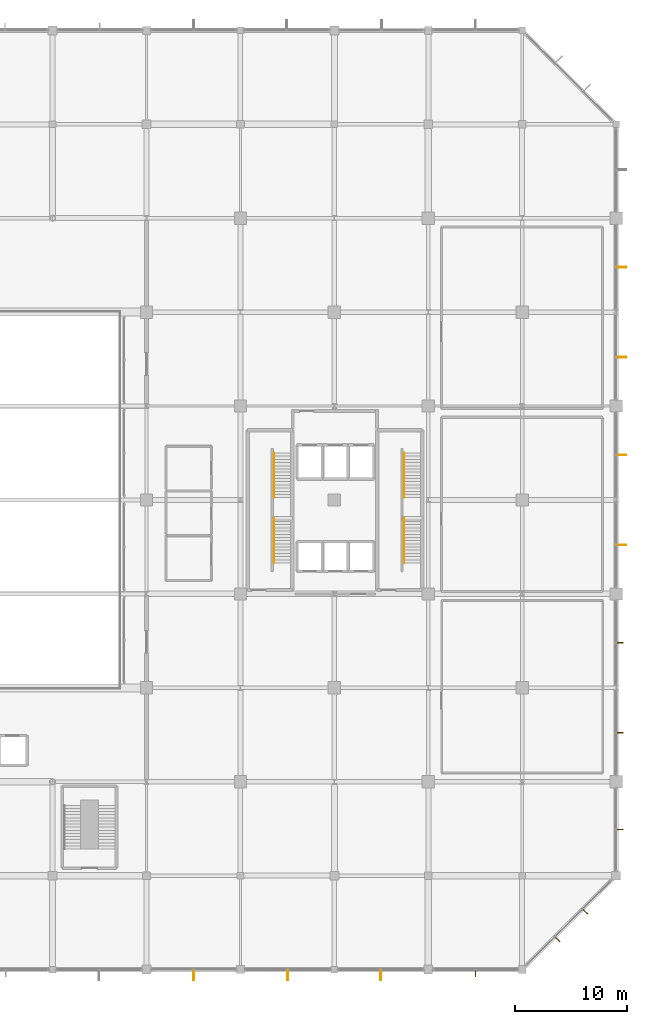
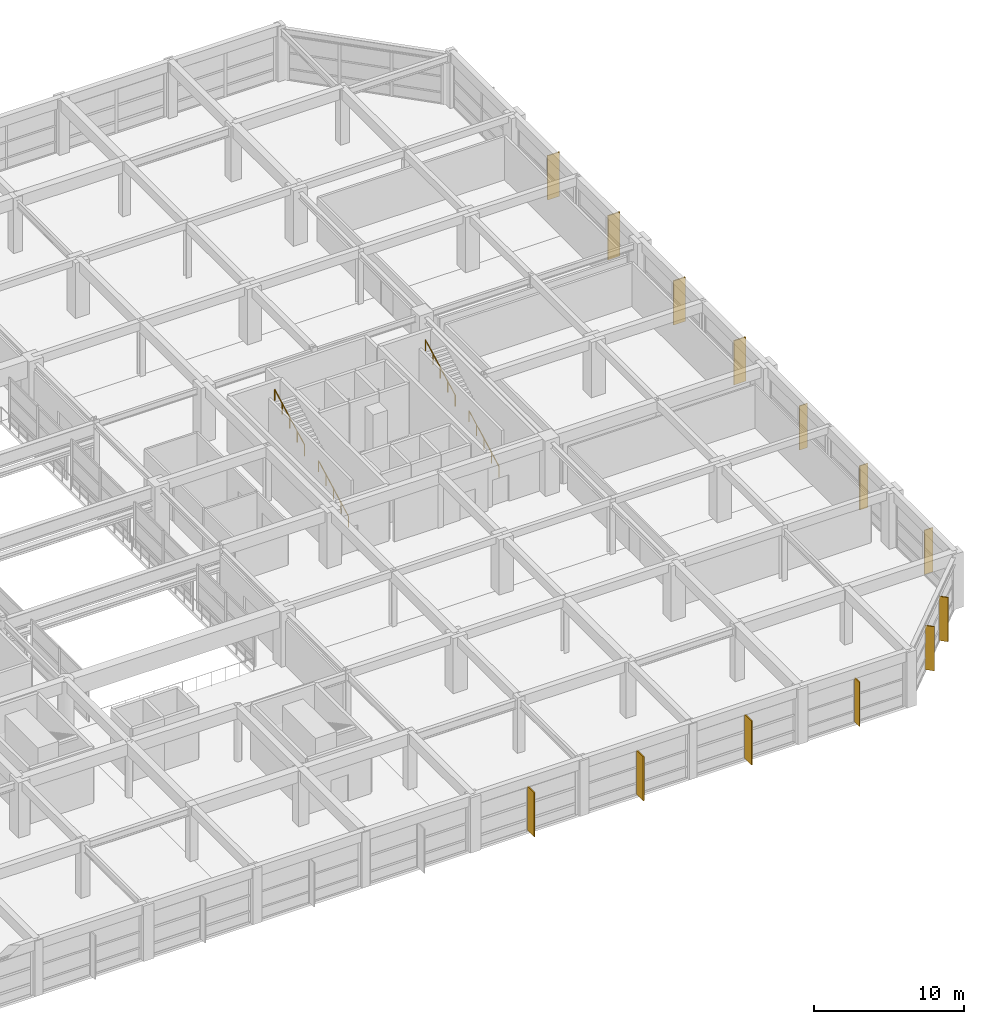
# One storey, part 61 of 62: 13 shading devices, 4 railings.
"""IFC4 building model written with IfcOpenShell, lengths in metres."""

import ifcopenshell
import ifcopenshell.guid

model = None  # the IFC model being written
_history = None  # IfcOwnerHistory: only IFC2X3 demands one
_inside = {}  # id of a spatial element -> (the spatial element, [elements in it])
_under = {}  # id of a project, library or spatial element -> (it, [spatial elements below it])
_declared = {}  # id of a project -> (the project, [libraries it declares])
_typed = {}  # id of a type object -> (the type object, [elements of that type])
_made_of = {}  # id of a material, layer set ... -> (it, [elements and type objects made of it])


def new_model(schema):
    """Start an empty IFC model of exactly this schema.

    Asked for "IFC4X3", IfcOpenShell would pick the latest addendum, in which some entities
    have other attributes; the version numbers below select the first issue.
    IFC2X3 requires an IfcOwnerHistory on every rooted entity: one is made here for all.
    """
    global model, _history
    if schema == "IFC4X3":
        model = ifcopenshell.file(schema_version=(4, 3, 0, 0))
    else:
        model = ifcopenshell.file(schema=schema)
    _inside.clear()
    _under.clear()
    _declared.clear()
    _typed.clear()
    _made_of.clear()
    _history = None
    if model.schema == "IFC2X3":
        org = make("IfcOrganization", Name="unknown")
        user = make(
            "IfcPersonAndOrganization",
            ThePerson=make("IfcPerson", FamilyName="unknown"),
            TheOrganization=org,
        )
        app = make(
            "IfcApplication",
            ApplicationDeveloper=org,
            Version="unknown",
            ApplicationFullName="unknown",
            ApplicationIdentifier="unknown",
        )
        _history = make(
            "IfcOwnerHistory",
            OwningUser=user,
            OwningApplication=app,
            ChangeAction="ADDED",
            CreationDate=0,
        )
    return model


def make(cls, **values):
    """One entity of the class cls with the attributes given. An attribute that is None is left unset."""
    return model.create_entity(
        cls, **{name: value for name, value in values.items() if value is not None}
    )


def rooted(cls, **values):
    """An entity with a GlobalId (a new one), such as an element, a storey or a relation."""
    return make(cls, GlobalId=ifcopenshell.guid.new(), OwnerHistory=_history, **values)


def si_unit(unit_type, name, prefix=None):
    """IfcSIUnit, for example si_unit("LENGTHUNIT", "METRE", prefix="MILLI")."""
    return make("IfcSIUnit", UnitType=unit_type, Prefix=prefix, Name=name)


def assignment(units):
    """IfcUnitAssignment: the units of a project."""
    return None if units is None else make("IfcUnitAssignment", Units=units)


def point(xyz):
    """IfcCartesianPoint."""
    return None if xyz is None else make("IfcCartesianPoint", Coordinates=xyz)


def direction(xyz):
    """IfcDirection."""
    return None if xyz is None else make("IfcDirection", DirectionRatios=xyz)


def frame(location, z_axis=None, x_axis=None):
    """IfcAxis2Placement3D, a coordinate frame: its origin and axes. An axis left out is left unset."""
    return make(
        "IfcAxis2Placement3D",
        Location=point(location),
        Axis=direction(z_axis),
        RefDirection=direction(x_axis),
    )


def frame_2d(location, x_axis=None):
    """IfcAxis2Placement2D, a coordinate frame in the plane: its origin and x axis."""
    return make(
        "IfcAxis2Placement2D", Location=point(location), RefDirection=direction(x_axis)
    )


def origin():
    """The frame at (0, 0, 0) with its axes left unset."""
    return frame((0.0, 0.0, 0.0))


def origin_2d():
    """The frame at (0, 0) in the plane with its x axis left unset."""
    return frame_2d((0.0, 0.0))


def place(relative_to, where):
    """IfcLocalPlacement: puts the frame where relative to a parent placement (None: the world)."""
    return make(
        "IfcLocalPlacement", PlacementRelTo=relative_to, RelativePlacement=where
    )


def context(
    kind, dimensions, precision=None, world=None, true_north=None, identifier=None
):
    """IfcGeometricRepresentationContext, for example the 3D "Model" context."""
    return make(
        "IfcGeometricRepresentationContext",
        ContextIdentifier=identifier,
        ContextType=kind,
        CoordinateSpaceDimension=dimensions,
        Precision=precision,
        WorldCoordinateSystem=world,
        TrueNorth=true_north,
    )


def subcontext(parent, identifier, kind, view, scale=None):
    """IfcGeometricRepresentationSubContext, for example "Body" below "Model"."""
    return make(
        "IfcGeometricRepresentationSubContext",
        ContextIdentifier=identifier,
        ContextType=kind,
        ParentContext=parent,
        TargetScale=scale,
        TargetView=view,
    )


def project(units=None, contexts=None):
    """IfcProject with its units and contexts."""
    return rooted(
        "IfcProject",
        Name="project",
        RepresentationContexts=contexts,
        UnitsInContext=assignment(units),
    )


def spatial(cls, under=None, at=None, **own):
    """A site, building, storey or space (cls), placed at a placement, below another one or the project."""
    s = rooted(cls, ObjectPlacement=at, **own)
    if under is not None:
        _under.setdefault(under.id(), (under, []))[1].append(s)
    return s


def profile(cls, at=None, kind="AREA", **sizes):
    """A parametric profile (cls). Its sizes go by their IFC names, for example OverallWidth=200.0."""
    return make(cls, ProfileType=kind, Position=at, **sizes)


def rectangle(**sizes):
    """IfcRectangleProfileDef."""
    return profile("IfcRectangleProfileDef", **sizes)


def circle(**sizes):
    """IfcCircleProfileDef."""
    return profile("IfcCircleProfileDef", **sizes)


def extrude(swept, where, along, depth):
    """IfcExtrudedAreaSolid: the profile swept, set in the frame where, extruded along a direction by depth."""
    return make(
        "IfcExtrudedAreaSolid",
        SweptArea=swept,
        Position=where,
        ExtrudedDirection=direction(along),
        Depth=depth,
    )


def shape(context_of_items, identifier, shape_type, items):
    """IfcShapeRepresentation: the items that make up one representation, for example the "Body"."""
    return make(
        "IfcShapeRepresentation",
        ContextOfItems=context_of_items,
        RepresentationIdentifier=identifier,
        RepresentationType=shape_type,
        Items=items,
    )


def material(Name=None, Category=None):
    """IfcMaterial."""
    return make("IfcMaterial", Name=Name, Category=Category)


def made_of(thing, what):
    """Note that an element or type object is made of a material, layer set ...; save() writes the relation."""
    if what is not None:
        _made_of.setdefault(what.id(), (what, []))[1].append(thing)
    return thing


def type_object(cls, material=None, **own):
    """A type object (cls), such as IfcWallType, which elements share."""
    return made_of(rooted(cls, **own), material)


def element(
    cls,
    number,
    at=None,
    inside=None,
    cuts=None,
    type_object=None,
    material=None,
    context=None,
    identifier="Body",
    shape_type=None,
    held_by="IfcProductDefinitionShape",
    body=None,
    shapes=None,
    **own,
):
    """One element of the class cls, such as IfcWall. Its Tag is "e" and its number.

    at: its placement. inside: the storey or other place that contains it. cuts: it is an
    opening in that element (IfcRelVoidsElement). A single representation is given by context,
    identifier, shape_type and body (its items); several are given by shapes. held_by: the class
    of the entity that holds the representations. save() writes the other relations.
    """
    e = rooted(cls, Tag="e%d" % number, ObjectPlacement=at, **own)
    if body is not None:
        shapes = [shape(context, identifier, shape_type, body)]
    if shapes is not None:
        e.Representation = make(held_by, Representations=shapes)
    if inside is not None:
        _inside.setdefault(inside.id(), (inside, []))[1].append(e)
    if cuts is not None:
        rooted(
            "IfcRelVoidsElement", RelatingBuildingElement=cuts, RelatedOpeningElement=e
        )
    if type_object is not None:
        _typed.setdefault(type_object.id(), (type_object, []))[1].append(e)
    return made_of(e, material)


def aggregate(whole, parts):
    """IfcRelAggregates: a whole, such as a stair, and the parts it consists of."""
    return rooted("IfcRelAggregates", RelatingObject=whole, RelatedObjects=parts)


def save(model, path):
    """Write the relations noted so far, then the file.

    IfcRelAggregates (storeys below a building ...), IfcRelContainedInSpatialStructure (elements
    in a storey), IfcRelDefinesByType, IfcRelAssociatesMaterial and IfcRelDeclares: one each for
    every whole, place, type object, material and project.
    """
    for whole, parts in _under.values():
        aggregate(whole, parts)
    for where, things in _inside.values():
        rooted(
            "IfcRelContainedInSpatialStructure",
            RelatedElements=things,
            RelatingStructure=where,
        )
    for kind, things in _typed.values():
        rooted("IfcRelDefinesByType", RelatedObjects=things, RelatingType=kind)
    for what, things in _made_of.values():
        rooted("IfcRelAssociatesMaterial", RelatedObjects=things, RelatingMaterial=what)
    for by, libraries in _declared.values():
        rooted("IfcRelDeclares", RelatingContext=by, RelatedDefinitions=libraries)
    model.write(path)


model = new_model("IFC4")

# Units and contexts
model_context = context("Model", 3, precision=1e-05, world=origin(), true_north=direction((0.0, 1.0)))
body_context = subcontext(model_context, "Body", "Model", "MODEL_VIEW")
ifc_project = project(units=[si_unit("LENGTHUNIT", "METRE"), si_unit("AREAUNIT", "SQUARE_METRE"), si_unit("VOLUMEUNIT", "CUBIC_METRE"), si_unit("PLANEANGLEUNIT", "RADIAN"), si_unit("MASSUNIT", "GRAM", prefix="KILO")], contexts=[model_context])

# Site, building, storey
site_placement = place(None, origin())
site = spatial("IfcSite", under=ifc_project, at=site_placement, CompositionType="ELEMENT")
building_placement = place(site_placement, origin())
building = spatial("IfcBuilding", under=site, at=building_placement, Name="Xuanlan Plaza Opera House", CompositionType="ELEMENT")
storey_placement = place(building_placement, frame((0.0, 0.0, 14.39990234375)))
storey = spatial("IfcBuildingStorey", under=building, at=storey_placement, Name="L03", CompositionType="ELEMENT", Elevation=14.39990234375)

# Shading devices
ifc_material_1 = material(Name="Anodised Aluminium 6063-T6", Category="aluminium")
shading_device_type_1 = type_object("IfcShadingDeviceType", Name="ENV-SHD-BRS01", PredefinedType="JALOUSIE", material=ifc_material_1)
for number, where, z_axis, x_axis, name in (
    (1, (155.425048828125, 16.47509765625, 0.0400390625), (0.0, 0.0, 1.0), (0.0, -1.0, 0.0), "Parametric Sunshade Fin L03-0164"),
    (2, (162.7626953125, 19.503173828125, 0.0400390625), (0.0, 0.0, 1.0), (0.707106781187, -0.707106781187, 0.0), "Parametric Sunshade Fin L03-0165"),
    (3, (165.246826171875, 21.9873046875, 0.0400390625), (0.0, 0.0, 1.0), (0.707106781187, -0.707106781187, 0.0), "Parametric Sunshade Fin L03-0166"),
    (4, (168.324951171875, 29.324951171875, 0.0400390625), (0.0, 0.0, 1.0), (1.0, 0.0, 0.0), "Parametric Sunshade Fin L03-0167"),
    (5, (168.324951171875, 37.97509765625, 0.0400390625), (0.0, 0.0, 1.0), (1.0, 0.0, 0.0), "Parametric Sunshade Fin L03-0168"),
    (6, (168.324951171875, 46.02490234375, 0.0400390625), (0.0, 0.0, 1.0), (1.0, 0.0, 0.0), "Parametric Sunshade Fin L03-0169"),
):
    element("IfcShadingDevice", number, at=place(storey_placement, frame(where, z_axis=z_axis, x_axis=x_axis)), inside=storey, type_object=shading_device_type_1, Name=name, PredefinedType="JALOUSIE", context=body_context, shape_type="SweptSolid", body=[
        extrude(rectangle(XDim=0.639892578125, YDim=0.070068359375, at=origin_2d()), origin(), (0.0, 0.0, 1.0), 3.60009765625),
    ])
shading_device_type_2 = type_object("IfcShadingDeviceType", Name="ENV-SHD-BRS02", PredefinedType="JALOUSIE", material=ifc_material_1)
for number, where, z_axis, x_axis, name in (
    (7, (130.22509765625, 16.3349609375, 0.0400390625), (0.0, 0.0, 1.0), (0.0, -1.0, 0.0), "Parametric Sunshade Fin L03-0161"),
    (8, (138.625, 16.3349609375, 0.0400390625), (0.0, 0.0, 1.0), (0.0, -1.0, 0.0), "Parametric Sunshade Fin L03-0162"),
    (9, (146.949951171875, 16.3349609375, 0.0400390625), (0.0, 0.0, 1.0), (0.0, -1.0, 0.0), "Parametric Sunshade Fin L03-0163"),
    (10, (168.465087890625, 54.77490234375, 0.0400390625), (0.0, 0.0, 1.0), (1.0, 0.0, 0.0), "Parametric Sunshade Fin L03-0170"),
    (11, (168.465087890625, 62.824951171875, 0.0400390625), (0.0, 0.0, 1.0), (1.0, 0.0, 0.0), "Parametric Sunshade Fin L03-0171"),
    (12, (168.465087890625, 71.574951171875, 0.0400390625), (0.0, 0.0, 1.0), (1.0, 0.0, 0.0), "Parametric Sunshade Fin L03-0172"),
    (13, (168.465087890625, 79.625, 0.0400390625), (0.0, 0.0, 1.0), (1.0, 0.0, 0.0), "Parametric Sunshade Fin L03-0173"),
):
    element("IfcShadingDevice", number, at=place(storey_placement, frame(where, z_axis=z_axis, x_axis=x_axis)), inside=storey, type_object=shading_device_type_2, Name=name, PredefinedType="JALOUSIE", context=body_context, shape_type="SweptSolid", body=[
        extrude(rectangle(XDim=0.919921875, YDim=0.080078125, at=origin_2d()), origin(), (0.0, 0.0, 1.0), 3.60009765625),
    ])

# Railings
ifc_material_2 = material(Name="Stainless Steel S30408", Category="steel")
railing_type = type_object("IfcRailingType", Name="INT-RL-HR01", PredefinedType="HANDRAIL", material=ifc_material_2)
for number, where, name in (
    (14, (137.409912109375, 53.169921875, 0.150146484375), "Stair Handrail ST-T1 L03 Flight 1"),
    (15, (137.409912109375, 59.010009765625, 2.400146484375), "Stair Handrail ST-T1 L03 Flight 2"),
    (16, (149.010009765625, 53.169921875, 0.150146484375), "Stair Handrail ST-T2 L03 Flight 1"),
    (17, (149.010009765625, 59.010009765625, 2.400146484375), "Stair Handrail ST-T2 L03 Flight 2"),
):
    element("IfcRailing", number, at=place(storey_placement, frame(where)), inside=storey, type_object=railing_type, Name=name, PredefinedType="HANDRAIL", context=body_context, shape_type="SweptSolid", body=[
        extrude(circle(Radius=0.02392578125, at=origin_2d()), frame((0.0, 0.0, 0.8759765625), z_axis=(0.0, 0.884931142248, 0.465721884261), x_axis=(-1.0, 0.0, 0.0)), (0.0, 0.0, 1.0), 4.5087890625),
        extrude(circle(Radius=0.02099609375, at=origin_2d()), origin(), (0.0, 0.0, 1.0), 0.851806640625),
        extrude(circle(Radius=0.02099609375, at=origin_2d()), frame((0.0, 0.99755859375, 0.52490234375)), (0.0, 0.0, 1.0), 0.851806640625),
        extrude(circle(Radius=0.02099609375, at=origin_2d()), frame((0.0, 1.9951171875, 1.0498046875)), (0.0, 0.0, 1.0), 0.851806640625),
        extrude(circle(Radius=0.02099609375, at=origin_2d()), frame((0.0, 2.992431640625, 1.574951171875)), (0.0, 0.0, 1.0), 0.851806640625),
        extrude(circle(Radius=0.02099609375, at=origin_2d()), frame((0.0, 3.989990234375, 2.099853515625)), (0.0, 0.0, 1.0), 0.851806640625),
    ])

save(model, "model.ifc")
